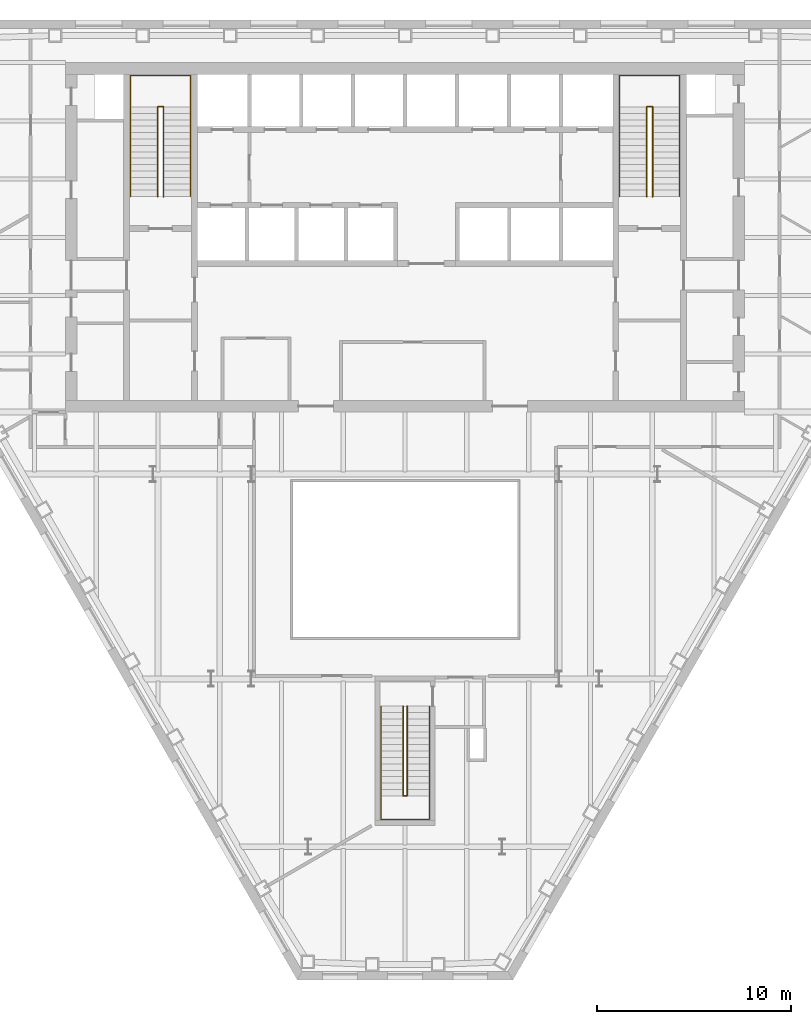
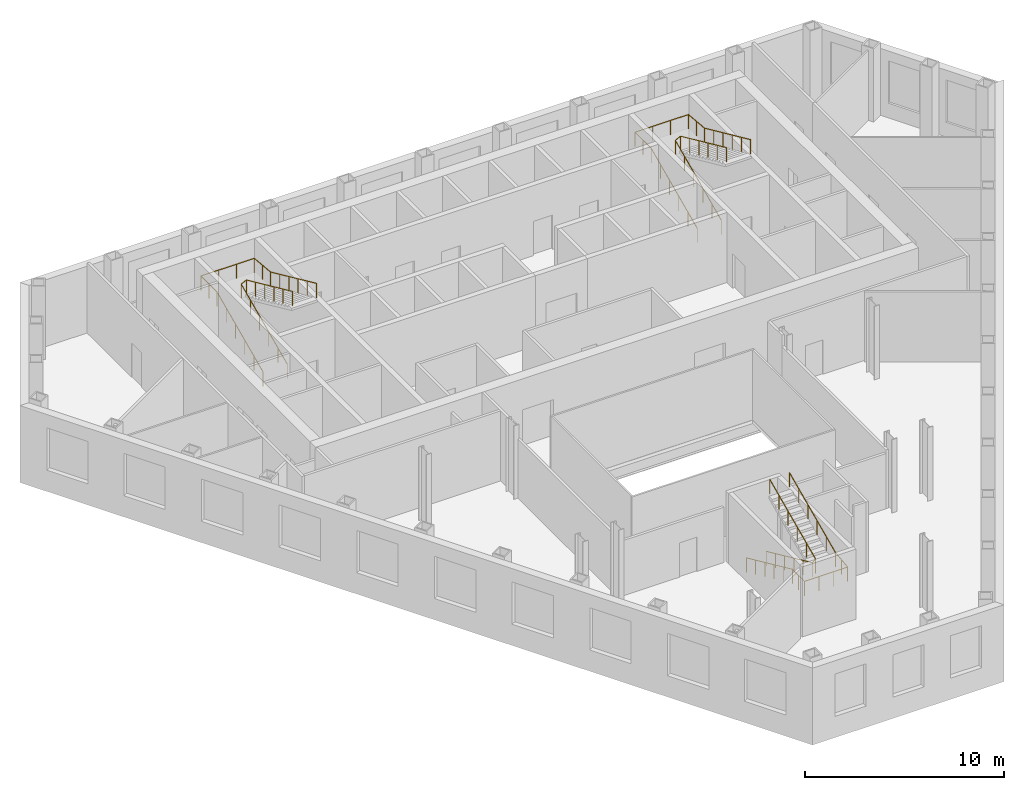
# One storey, part 11 of 11: 6 railings.
"""IFC4 building model written with IfcOpenShell, lengths in metres."""

import ifcopenshell
import ifcopenshell.guid

model = None  # the IFC model being written
_history = None  # IfcOwnerHistory: only IFC2X3 demands one
_inside = {}  # id of a spatial element -> (the spatial element, [elements in it])
_under = {}  # id of a project, library or spatial element -> (it, [spatial elements below it])
_declared = {}  # id of a project -> (the project, [libraries it declares])
_typed = {}  # id of a type object -> (the type object, [elements of that type])
_made_of = {}  # id of a material, layer set ... -> (it, [elements and type objects made of it])


def new_model(schema):
    """Start an empty IFC model of exactly this schema.

    Asked for "IFC4X3", IfcOpenShell would pick the latest addendum, in which some entities
    have other attributes; the version numbers below select the first issue.
    IFC2X3 requires an IfcOwnerHistory on every rooted entity: one is made here for all.
    """
    global model, _history
    if schema == "IFC4X3":
        model = ifcopenshell.file(schema_version=(4, 3, 0, 0))
    else:
        model = ifcopenshell.file(schema=schema)
    _inside.clear()
    _under.clear()
    _declared.clear()
    _typed.clear()
    _made_of.clear()
    _history = None
    if model.schema == "IFC2X3":
        org = make("IfcOrganization", Name="unknown")
        user = make(
            "IfcPersonAndOrganization",
            ThePerson=make("IfcPerson", FamilyName="unknown"),
            TheOrganization=org,
        )
        app = make(
            "IfcApplication",
            ApplicationDeveloper=org,
            Version="unknown",
            ApplicationFullName="unknown",
            ApplicationIdentifier="unknown",
        )
        _history = make(
            "IfcOwnerHistory",
            OwningUser=user,
            OwningApplication=app,
            ChangeAction="ADDED",
            CreationDate=0,
        )
    return model


def make(cls, **values):
    """One entity of the class cls with the attributes given. An attribute that is None is left unset."""
    return model.create_entity(
        cls, **{name: value for name, value in values.items() if value is not None}
    )


def rooted(cls, **values):
    """An entity with a GlobalId (a new one), such as an element, a storey or a relation."""
    return make(cls, GlobalId=ifcopenshell.guid.new(), OwnerHistory=_history, **values)


def si_unit(unit_type, name, prefix=None):
    """IfcSIUnit, for example si_unit("LENGTHUNIT", "METRE", prefix="MILLI")."""
    return make("IfcSIUnit", UnitType=unit_type, Prefix=prefix, Name=name)


def assignment(units):
    """IfcUnitAssignment: the units of a project."""
    return None if units is None else make("IfcUnitAssignment", Units=units)


def point(xyz):
    """IfcCartesianPoint."""
    return None if xyz is None else make("IfcCartesianPoint", Coordinates=xyz)


def direction(xyz):
    """IfcDirection."""
    return None if xyz is None else make("IfcDirection", DirectionRatios=xyz)


def frame(location, z_axis=None, x_axis=None):
    """IfcAxis2Placement3D, a coordinate frame: its origin and axes. An axis left out is left unset."""
    return make(
        "IfcAxis2Placement3D",
        Location=point(location),
        Axis=direction(z_axis),
        RefDirection=direction(x_axis),
    )


def frame_2d(location, x_axis=None):
    """IfcAxis2Placement2D, a coordinate frame in the plane: its origin and x axis."""
    return make(
        "IfcAxis2Placement2D", Location=point(location), RefDirection=direction(x_axis)
    )


def origin():
    """The frame at (0, 0, 0) with its axes left unset."""
    return frame((0.0, 0.0, 0.0))


def origin_2d():
    """The frame at (0, 0) in the plane with its x axis left unset."""
    return frame_2d((0.0, 0.0))


def place(relative_to, where):
    """IfcLocalPlacement: puts the frame where relative to a parent placement (None: the world)."""
    return make(
        "IfcLocalPlacement", PlacementRelTo=relative_to, RelativePlacement=where
    )


def context(
    kind, dimensions, precision=None, world=None, true_north=None, identifier=None
):
    """IfcGeometricRepresentationContext, for example the 3D "Model" context."""
    return make(
        "IfcGeometricRepresentationContext",
        ContextIdentifier=identifier,
        ContextType=kind,
        CoordinateSpaceDimension=dimensions,
        Precision=precision,
        WorldCoordinateSystem=world,
        TrueNorth=true_north,
    )


def subcontext(parent, identifier, kind, view, scale=None):
    """IfcGeometricRepresentationSubContext, for example "Body" below "Model"."""
    return make(
        "IfcGeometricRepresentationSubContext",
        ContextIdentifier=identifier,
        ContextType=kind,
        ParentContext=parent,
        TargetScale=scale,
        TargetView=view,
    )


def project(units=None, contexts=None):
    """IfcProject with its units and contexts."""
    return rooted(
        "IfcProject",
        Name="project",
        RepresentationContexts=contexts,
        UnitsInContext=assignment(units),
    )


def spatial(cls, under=None, at=None, **own):
    """A site, building, storey or space (cls), placed at a placement, below another one or the project."""
    s = rooted(cls, ObjectPlacement=at, **own)
    if under is not None:
        _under.setdefault(under.id(), (under, []))[1].append(s)
    return s


def profile(cls, at=None, kind="AREA", **sizes):
    """A parametric profile (cls). Its sizes go by their IFC names, for example OverallWidth=200.0."""
    return make(cls, ProfileType=kind, Position=at, **sizes)


def circle(**sizes):
    """IfcCircleProfileDef."""
    return profile("IfcCircleProfileDef", **sizes)


def extrude(swept, where, along, depth):
    """IfcExtrudedAreaSolid: the profile swept, set in the frame where, extruded along a direction by depth."""
    return make(
        "IfcExtrudedAreaSolid",
        SweptArea=swept,
        Position=where,
        ExtrudedDirection=direction(along),
        Depth=depth,
    )


def shape(context_of_items, identifier, shape_type, items):
    """IfcShapeRepresentation: the items that make up one representation, for example the "Body"."""
    return make(
        "IfcShapeRepresentation",
        ContextOfItems=context_of_items,
        RepresentationIdentifier=identifier,
        RepresentationType=shape_type,
        Items=items,
    )


def material(Name=None, Category=None):
    """IfcMaterial."""
    return make("IfcMaterial", Name=Name, Category=Category)


def made_of(thing, what):
    """Note that an element or type object is made of a material, layer set ...; save() writes the relation."""
    if what is not None:
        _made_of.setdefault(what.id(), (what, []))[1].append(thing)
    return thing


def type_object(cls, material=None, **own):
    """A type object (cls), such as IfcWallType, which elements share."""
    return made_of(rooted(cls, **own), material)


def element(
    cls,
    number,
    at=None,
    inside=None,
    cuts=None,
    type_object=None,
    material=None,
    context=None,
    identifier="Body",
    shape_type=None,
    held_by="IfcProductDefinitionShape",
    body=None,
    shapes=None,
    **own,
):
    """One element of the class cls, such as IfcWall. Its Tag is "e" and its number.

    at: its placement. inside: the storey or other place that contains it. cuts: it is an
    opening in that element (IfcRelVoidsElement). A single representation is given by context,
    identifier, shape_type and body (its items); several are given by shapes. held_by: the class
    of the entity that holds the representations. save() writes the other relations.
    """
    e = rooted(cls, Tag="e%d" % number, ObjectPlacement=at, **own)
    if body is not None:
        shapes = [shape(context, identifier, shape_type, body)]
    if shapes is not None:
        e.Representation = make(held_by, Representations=shapes)
    if inside is not None:
        _inside.setdefault(inside.id(), (inside, []))[1].append(e)
    if cuts is not None:
        rooted(
            "IfcRelVoidsElement", RelatingBuildingElement=cuts, RelatedOpeningElement=e
        )
    if type_object is not None:
        _typed.setdefault(type_object.id(), (type_object, []))[1].append(e)
    return made_of(e, material)


def aggregate(whole, parts):
    """IfcRelAggregates: a whole, such as a stair, and the parts it consists of."""
    return rooted("IfcRelAggregates", RelatingObject=whole, RelatedObjects=parts)


def save(model, path):
    """Write the relations noted so far, then the file.

    IfcRelAggregates (storeys below a building ...), IfcRelContainedInSpatialStructure (elements
    in a storey), IfcRelDefinesByType, IfcRelAssociatesMaterial and IfcRelDeclares: one each for
    every whole, place, type object, material and project.
    """
    for whole, parts in _under.values():
        aggregate(whole, parts)
    for where, things in _inside.values():
        rooted(
            "IfcRelContainedInSpatialStructure",
            RelatedElements=things,
            RelatingStructure=where,
        )
    for kind, things in _typed.values():
        rooted("IfcRelDefinesByType", RelatedObjects=things, RelatingType=kind)
    for what, things in _made_of.values():
        rooted("IfcRelAssociatesMaterial", RelatedObjects=things, RelatingMaterial=what)
    for by, libraries in _declared.values():
        rooted("IfcRelDeclares", RelatingContext=by, RelatedDefinitions=libraries)
    model.write(path)


model = new_model("IFC4")

# Units and contexts
model_context = context("Model", 3, precision=1e-05, world=origin(), true_north=direction((0.0, 1.0)))
body_context = subcontext(model_context, "Body", "Model", "MODEL_VIEW")
ifc_project = project(units=[si_unit("LENGTHUNIT", "METRE"), si_unit("AREAUNIT", "SQUARE_METRE"), si_unit("VOLUMEUNIT", "CUBIC_METRE"), si_unit("PLANEANGLEUNIT", "RADIAN"), si_unit("MASSUNIT", "GRAM", prefix="KILO")], contexts=[model_context])

# Site, building, storey
site_placement = place(None, origin())
site = spatial("IfcSite", under=ifc_project, at=site_placement, CompositionType="ELEMENT")
building_placement = place(site_placement, origin())
building = spatial("IfcBuilding", under=site, at=building_placement, Name="Njiva Tower", CompositionType="ELEMENT")
storey_placement = place(building_placement, frame((0.0, 0.0, 64.8)))
storey = spatial("IfcBuildingStorey", under=building, at=storey_placement, Name="L13", CompositionType="ELEMENT", Elevation=64.8)

# Railings
ifc_material = material(Name="Stainless steel", Category="steel")
railing_type = type_object("IfcRailingType", Name="RL1 Stair handrail 900", PredefinedType="HANDRAIL", material=ifc_material)
railing_1_placement = place(storey_placement, frame((-14.15, 11.1, 0.15)))
element("IfcRailing", 1, at=railing_1_placement, inside=storey, type_object=railing_type, Name="Stair A handrail", PredefinedType="HANDRAIL", context=body_context, shape_type="SweptSolid", body=[
    extrude(circle(Radius=0.024, at=origin_2d()), frame((0.0, 0.0, 0.876), z_axis=(0.0, 0.910366477463, 0.413802944301), x_axis=(-1.0, 0.0, 0.0)), (0.0, 0.0, 1.0), 5.0749),
    extrude(circle(Radius=0.024, at=origin_2d()), frame((0.0, 4.62, 2.976), z_axis=(0.0, 1.0, 0.0), x_axis=(-1.0, 0.0, 0.0)), (0.0, 0.0, 1.0), 1.63),
    extrude(circle(Radius=0.024, at=origin_2d()), frame((0.0, 6.25, 2.976), z_axis=(1.0, 0.0, 0.0), x_axis=(0.0, 1.0, 0.0)), (0.0, 0.0, 1.0), 3.1),
    extrude(circle(Radius=0.024, at=origin_2d()), frame((3.1, 6.25, 2.976), z_axis=(0.0, -0.995792447047, 0.091637341753), x_axis=(1.0, 0.0, 0.0)), (0.0, 0.0, 1.0), 1.6369),
    extrude(circle(Radius=0.024, at=origin_2d()), frame((3.1, 4.62, 3.126), z_axis=(0.0, -0.910366477463, 0.413802944301), x_axis=(1.0, 0.0, 0.0)), (0.0, 0.0, 1.0), 5.0749),
    extrude(circle(Radius=0.021, at=origin_2d()), origin(), (0.0, 0.0, 1.0), 0.852),
    extrude(circle(Radius=0.021, at=origin_2d()), frame((0.0, 0.924, 0.42)), (0.0, 0.0, 1.0), 0.852),
    extrude(circle(Radius=0.021, at=origin_2d()), frame((0.0, 1.848, 0.84)), (0.0, 0.0, 1.0), 0.852),
    extrude(circle(Radius=0.021, at=origin_2d()), frame((0.0, 2.772, 1.26)), (0.0, 0.0, 1.0), 0.852),
    extrude(circle(Radius=0.021, at=origin_2d()), frame((0.0, 3.696, 1.68)), (0.0, 0.0, 1.0), 0.852),
    extrude(circle(Radius=0.021, at=origin_2d()), frame((0.0, 4.62, 2.1)), (0.0, 0.0, 1.0), 0.852),
    extrude(circle(Radius=0.021, at=origin_2d()), frame((0.0, 5.435, 2.1)), (0.0, 0.0, 1.0), 0.852),
    extrude(circle(Radius=0.021, at=origin_2d()), frame((0.0, 6.25, 2.1)), (0.0, 0.0, 1.0), 0.852),
    extrude(circle(Radius=0.021, at=origin_2d()), frame((1.0333, 6.25, 2.1)), (0.0, 0.0, 1.0), 0.852),
    extrude(circle(Radius=0.021, at=origin_2d()), frame((2.0667, 6.25, 2.1)), (0.0, 0.0, 1.0), 0.852),
    extrude(circle(Radius=0.021, at=origin_2d()), frame((3.1, 6.25, 2.1)), (0.0, 0.0, 1.0), 0.852),
    extrude(circle(Radius=0.021, at=origin_2d()), frame((3.1, 5.435, 2.175)), (0.0, 0.0, 1.0), 0.852),
    extrude(circle(Radius=0.021, at=origin_2d()), frame((3.1, 4.62, 2.25)), (0.0, 0.0, 1.0), 0.852),
    extrude(circle(Radius=0.021, at=origin_2d()), frame((3.1, 3.696, 2.67)), (0.0, 0.0, 1.0), 0.852),
    extrude(circle(Radius=0.021, at=origin_2d()), frame((3.1, 2.772, 3.09)), (0.0, 0.0, 1.0), 0.852),
    extrude(circle(Radius=0.021, at=origin_2d()), frame((3.1, 1.848, 3.51)), (0.0, 0.0, 1.0), 0.852),
    extrude(circle(Radius=0.021, at=origin_2d()), frame((3.1, 0.924, 3.93)), (0.0, 0.0, 1.0), 0.852),
    extrude(circle(Radius=0.021, at=origin_2d()), frame((3.1, 0.0, 4.35)), (0.0, 0.0, 1.0), 0.852),
])
railing_2_placement = place(storey_placement, frame((-12.75, 11.1, 0.15)))
element("IfcRailing", 2, at=railing_2_placement, inside=storey, type_object=railing_type, Name="Stair A handrail", PredefinedType="HANDRAIL", context=body_context, shape_type="SweptSolid", body=[
    extrude(circle(Radius=0.024, at=origin_2d()), frame((0.0, 0.0, 0.876), z_axis=(0.0, 0.910366477463, 0.413802944301), x_axis=(-1.0, 0.0, 0.0)), (0.0, 0.0, 1.0), 5.0749),
    extrude(circle(Radius=0.024, at=origin_2d()), frame((0.0, 4.62, 2.976), z_axis=(0.894427191, 0.0, 0.4472135955), x_axis=(0.0, 1.0, 0.0)), (0.0, 0.0, 1.0), 0.3354),
    extrude(circle(Radius=0.024, at=origin_2d()), frame((0.3, 4.62, 3.126), z_axis=(0.0, -0.910366477463, 0.413802944301), x_axis=(1.0, 0.0, 0.0)), (0.0, 0.0, 1.0), 5.0749),
    extrude(circle(Radius=0.021, at=origin_2d()), origin(), (0.0, 0.0, 1.0), 0.852),
    extrude(circle(Radius=0.021, at=origin_2d()), frame((0.0, 0.924, 0.42)), (0.0, 0.0, 1.0), 0.852),
    extrude(circle(Radius=0.021, at=origin_2d()), frame((0.0, 1.848, 0.84)), (0.0, 0.0, 1.0), 0.852),
    extrude(circle(Radius=0.021, at=origin_2d()), frame((0.0, 2.772, 1.26)), (0.0, 0.0, 1.0), 0.852),
    extrude(circle(Radius=0.021, at=origin_2d()), frame((0.0, 3.696, 1.68)), (0.0, 0.0, 1.0), 0.852),
    extrude(circle(Radius=0.021, at=origin_2d()), frame((0.0, 4.62, 2.1)), (0.0, 0.0, 1.0), 0.852),
    extrude(circle(Radius=0.021, at=origin_2d()), frame((0.3, 4.62, 2.25)), (0.0, 0.0, 1.0), 0.852),
    extrude(circle(Radius=0.021, at=origin_2d()), frame((0.3, 3.696, 2.67)), (0.0, 0.0, 1.0), 0.852),
    extrude(circle(Radius=0.021, at=origin_2d()), frame((0.3, 2.772, 3.09)), (0.0, 0.0, 1.0), 0.852),
    extrude(circle(Radius=0.021, at=origin_2d()), frame((0.3, 1.848, 3.51)), (0.0, 0.0, 1.0), 0.852),
    extrude(circle(Radius=0.021, at=origin_2d()), frame((0.3, 0.924, 3.93)), (0.0, 0.0, 1.0), 0.852),
    extrude(circle(Radius=0.021, at=origin_2d()), frame((0.3, 0.0, 4.35)), (0.0, 0.0, 1.0), 0.852),
])
railing_3_placement = place(storey_placement, frame((11.05, 11.1, 0.15)))
element("IfcRailing", 3, at=railing_3_placement, inside=storey, type_object=railing_type, Name="Stair B handrail", PredefinedType="HANDRAIL", context=body_context, shape_type="SweptSolid", body=[
    extrude(circle(Radius=0.024, at=origin_2d()), frame((0.0, 0.0, 0.876), z_axis=(0.0, 0.910366477463, 0.413802944301), x_axis=(-1.0, 0.0, 0.0)), (0.0, 0.0, 1.0), 5.0749),
    extrude(circle(Radius=0.024, at=origin_2d()), frame((0.0, 4.62, 2.976), z_axis=(0.0, 1.0, 0.0), x_axis=(-1.0, 0.0, 0.0)), (0.0, 0.0, 1.0), 1.63),
    extrude(circle(Radius=0.024, at=origin_2d()), frame((0.0, 6.25, 2.976), z_axis=(1.0, 0.0, 0.0), x_axis=(0.0, 1.0, 0.0)), (0.0, 0.0, 1.0), 3.1),
    extrude(circle(Radius=0.024, at=origin_2d()), frame((3.1, 6.25, 2.976), z_axis=(0.0, -0.995792447047, 0.091637341753), x_axis=(1.0, 0.0, 0.0)), (0.0, 0.0, 1.0), 1.6369),
    extrude(circle(Radius=0.024, at=origin_2d()), frame((3.1, 4.62, 3.126), z_axis=(0.0, -0.910366477463, 0.413802944301), x_axis=(1.0, 0.0, 0.0)), (0.0, 0.0, 1.0), 5.0749),
    extrude(circle(Radius=0.021, at=origin_2d()), origin(), (0.0, 0.0, 1.0), 0.852),
    extrude(circle(Radius=0.021, at=origin_2d()), frame((0.0, 0.924, 0.42)), (0.0, 0.0, 1.0), 0.852),
    extrude(circle(Radius=0.021, at=origin_2d()), frame((0.0, 1.848, 0.84)), (0.0, 0.0, 1.0), 0.852),
    extrude(circle(Radius=0.021, at=origin_2d()), frame((0.0, 2.772, 1.26)), (0.0, 0.0, 1.0), 0.852),
    extrude(circle(Radius=0.021, at=origin_2d()), frame((0.0, 3.696, 1.68)), (0.0, 0.0, 1.0), 0.852),
    extrude(circle(Radius=0.021, at=origin_2d()), frame((0.0, 4.62, 2.1)), (0.0, 0.0, 1.0), 0.852),
    extrude(circle(Radius=0.021, at=origin_2d()), frame((0.0, 5.435, 2.1)), (0.0, 0.0, 1.0), 0.852),
    extrude(circle(Radius=0.021, at=origin_2d()), frame((0.0, 6.25, 2.1)), (0.0, 0.0, 1.0), 0.852),
    extrude(circle(Radius=0.021, at=origin_2d()), frame((1.0333, 6.25, 2.1)), (0.0, 0.0, 1.0), 0.852),
    extrude(circle(Radius=0.021, at=origin_2d()), frame((2.0667, 6.25, 2.1)), (0.0, 0.0, 1.0), 0.852),
    extrude(circle(Radius=0.021, at=origin_2d()), frame((3.1, 6.25, 2.1)), (0.0, 0.0, 1.0), 0.852),
    extrude(circle(Radius=0.021, at=origin_2d()), frame((3.1, 5.435, 2.175)), (0.0, 0.0, 1.0), 0.852),
    extrude(circle(Radius=0.021, at=origin_2d()), frame((3.1, 4.62, 2.25)), (0.0, 0.0, 1.0), 0.852),
    extrude(circle(Radius=0.021, at=origin_2d()), frame((3.1, 3.696, 2.67)), (0.0, 0.0, 1.0), 0.852),
    extrude(circle(Radius=0.021, at=origin_2d()), frame((3.1, 2.772, 3.09)), (0.0, 0.0, 1.0), 0.852),
    extrude(circle(Radius=0.021, at=origin_2d()), frame((3.1, 1.848, 3.51)), (0.0, 0.0, 1.0), 0.852),
    extrude(circle(Radius=0.021, at=origin_2d()), frame((3.1, 0.924, 3.93)), (0.0, 0.0, 1.0), 0.852),
    extrude(circle(Radius=0.021, at=origin_2d()), frame((3.1, 0.0, 4.35)), (0.0, 0.0, 1.0), 0.852),
])
railing_4_placement = place(storey_placement, frame((12.45, 11.1, 0.15)))
element("IfcRailing", 4, at=railing_4_placement, inside=storey, type_object=railing_type, Name="Stair B handrail", PredefinedType="HANDRAIL", context=body_context, shape_type="SweptSolid", body=[
    extrude(circle(Radius=0.024, at=origin_2d()), frame((0.0, 0.0, 0.876), z_axis=(0.0, 0.910366477463, 0.413802944301), x_axis=(-1.0, 0.0, 0.0)), (0.0, 0.0, 1.0), 5.0749),
    extrude(circle(Radius=0.024, at=origin_2d()), frame((0.0, 4.62, 2.976), z_axis=(0.894427191, 0.0, 0.4472135955), x_axis=(0.0, 1.0, 0.0)), (0.0, 0.0, 1.0), 0.3354),
    extrude(circle(Radius=0.024, at=origin_2d()), frame((0.3, 4.62, 3.126), z_axis=(0.0, -0.910366477463, 0.413802944301), x_axis=(1.0, 0.0, 0.0)), (0.0, 0.0, 1.0), 5.0749),
    extrude(circle(Radius=0.021, at=origin_2d()), origin(), (0.0, 0.0, 1.0), 0.852),
    extrude(circle(Radius=0.021, at=origin_2d()), frame((0.0, 0.924, 0.42)), (0.0, 0.0, 1.0), 0.852),
    extrude(circle(Radius=0.021, at=origin_2d()), frame((0.0, 1.848, 0.84)), (0.0, 0.0, 1.0), 0.852),
    extrude(circle(Radius=0.021, at=origin_2d()), frame((0.0, 2.772, 1.26)), (0.0, 0.0, 1.0), 0.852),
    extrude(circle(Radius=0.021, at=origin_2d()), frame((0.0, 3.696, 1.68)), (0.0, 0.0, 1.0), 0.852),
    extrude(circle(Radius=0.021, at=origin_2d()), frame((0.0, 4.62, 2.1)), (0.0, 0.0, 1.0), 0.852),
    extrude(circle(Radius=0.021, at=origin_2d()), frame((0.3, 4.62, 2.25)), (0.0, 0.0, 1.0), 0.852),
    extrude(circle(Radius=0.021, at=origin_2d()), frame((0.3, 3.696, 2.67)), (0.0, 0.0, 1.0), 0.852),
    extrude(circle(Radius=0.021, at=origin_2d()), frame((0.3, 2.772, 3.09)), (0.0, 0.0, 1.0), 0.852),
    extrude(circle(Radius=0.021, at=origin_2d()), frame((0.3, 1.848, 3.51)), (0.0, 0.0, 1.0), 0.852),
    extrude(circle(Radius=0.021, at=origin_2d()), frame((0.3, 0.924, 3.93)), (0.0, 0.0, 1.0), 0.852),
    extrude(circle(Radius=0.021, at=origin_2d()), frame((0.3, 0.0, 4.35)), (0.0, 0.0, 1.0), 0.852),
])
railing_5_placement = place(storey_placement, frame((-1.25, -15.16, 0.15)))
element("IfcRailing", 5, at=railing_5_placement, inside=storey, type_object=railing_type, Name="Stair C handrail", PredefinedType="HANDRAIL", context=body_context, shape_type="SweptSolid", body=[
    extrude(circle(Radius=0.024, at=origin_2d()), frame((0.0, 0.0, 0.876), z_axis=(0.0, -0.910366477463, 0.413802944301), x_axis=(1.0, 0.0, 0.0)), (0.0, 0.0, 1.0), 5.0749),
    extrude(circle(Radius=0.024, at=origin_2d()), frame((0.0, -4.62, 2.976), z_axis=(0.0, -1.0, 0.0), x_axis=(1.0, 0.0, 0.0)), (0.0, 0.0, 1.0), 1.22),
    extrude(circle(Radius=0.024, at=origin_2d()), frame((0.0, -5.84, 2.976), z_axis=(1.0, 0.0, 0.0), x_axis=(0.0, 1.0, 0.0)), (0.0, 0.0, 1.0), 2.5),
    extrude(circle(Radius=0.024, at=origin_2d()), frame((2.5, -5.84, 2.976), z_axis=(0.0, 0.992526177815, 0.122031907108), x_axis=(-1.0, 0.0, 0.0)), (0.0, 0.0, 1.0), 1.2292),
    extrude(circle(Radius=0.024, at=origin_2d()), frame((2.5, -4.62, 3.126), z_axis=(0.0, 0.910366477463, 0.413802944301), x_axis=(-1.0, 0.0, 0.0)), (0.0, 0.0, 1.0), 5.0749),
    extrude(circle(Radius=0.021, at=origin_2d()), origin(), (0.0, 0.0, 1.0), 0.852),
    extrude(circle(Radius=0.021, at=origin_2d()), frame((0.0, -0.924, 0.42)), (0.0, 0.0, 1.0), 0.852),
    extrude(circle(Radius=0.021, at=origin_2d()), frame((0.0, -1.848, 0.84)), (0.0, 0.0, 1.0), 0.852),
    extrude(circle(Radius=0.021, at=origin_2d()), frame((0.0, -2.772, 1.26)), (0.0, 0.0, 1.0), 0.852),
    extrude(circle(Radius=0.021, at=origin_2d()), frame((0.0, -3.696, 1.68)), (0.0, 0.0, 1.0), 0.852),
    extrude(circle(Radius=0.021, at=origin_2d()), frame((0.0, -4.62, 2.1)), (0.0, 0.0, 1.0), 0.852),
    extrude(circle(Radius=0.021, at=origin_2d()), frame((0.0, -5.23, 2.1)), (0.0, 0.0, 1.0), 0.852),
    extrude(circle(Radius=0.021, at=origin_2d()), frame((0.0, -5.84, 2.1)), (0.0, 0.0, 1.0), 0.852),
    extrude(circle(Radius=0.021, at=origin_2d()), frame((0.8333, -5.84, 2.1)), (0.0, 0.0, 1.0), 0.852),
    extrude(circle(Radius=0.021, at=origin_2d()), frame((1.6667, -5.84, 2.1)), (0.0, 0.0, 1.0), 0.852),
    extrude(circle(Radius=0.021, at=origin_2d()), frame((2.5, -5.84, 2.1)), (0.0, 0.0, 1.0), 0.852),
    extrude(circle(Radius=0.021, at=origin_2d()), frame((2.5, -5.23, 2.175)), (0.0, 0.0, 1.0), 0.852),
    extrude(circle(Radius=0.021, at=origin_2d()), frame((2.5, -4.62, 2.25)), (0.0, 0.0, 1.0), 0.852),
    extrude(circle(Radius=0.021, at=origin_2d()), frame((2.5, -3.696, 2.67)), (0.0, 0.0, 1.0), 0.852),
    extrude(circle(Radius=0.021, at=origin_2d()), frame((2.5, -2.772, 3.09)), (0.0, 0.0, 1.0), 0.852),
    extrude(circle(Radius=0.021, at=origin_2d()), frame((2.5, -1.848, 3.51)), (0.0, 0.0, 1.0), 0.852),
    extrude(circle(Radius=0.021, at=origin_2d()), frame((2.5, -0.924, 3.93)), (0.0, 0.0, 1.0), 0.852),
    extrude(circle(Radius=0.021, at=origin_2d()), frame((2.5, 0.0, 4.35)), (0.0, 0.0, 1.0), 0.852),
])
railing_6_placement = place(storey_placement, frame((-0.1, -15.16, 0.15)))
element("IfcRailing", 6, at=railing_6_placement, inside=storey, type_object=railing_type, Name="Stair C handrail", PredefinedType="HANDRAIL", context=body_context, shape_type="SweptSolid", body=[
    extrude(circle(Radius=0.024, at=origin_2d()), frame((0.0, 0.0, 0.876), z_axis=(0.0, -0.910366477463, 0.413802944301), x_axis=(1.0, 0.0, 0.0)), (0.0, 0.0, 1.0), 5.0749),
    extrude(circle(Radius=0.024, at=origin_2d()), frame((0.0, -4.62, 2.976), z_axis=(0.8, 0.0, 0.6), x_axis=(0.0, 1.0, 0.0)), (0.0, 0.0, 1.0), 0.25),
    extrude(circle(Radius=0.024, at=origin_2d()), frame((0.2, -4.62, 3.126), z_axis=(0.0, 0.910366477463, 0.413802944301), x_axis=(-1.0, 0.0, 0.0)), (0.0, 0.0, 1.0), 5.0749),
    extrude(circle(Radius=0.021, at=origin_2d()), origin(), (0.0, 0.0, 1.0), 0.852),
    extrude(circle(Radius=0.021, at=origin_2d()), frame((0.0, -0.924, 0.42)), (0.0, 0.0, 1.0), 0.852),
    extrude(circle(Radius=0.021, at=origin_2d()), frame((0.0, -1.848, 0.84)), (0.0, 0.0, 1.0), 0.852),
    extrude(circle(Radius=0.021, at=origin_2d()), frame((0.0, -2.772, 1.26)), (0.0, 0.0, 1.0), 0.852),
    extrude(circle(Radius=0.021, at=origin_2d()), frame((0.0, -3.696, 1.68)), (0.0, 0.0, 1.0), 0.852),
    extrude(circle(Radius=0.021, at=origin_2d()), frame((0.0, -4.62, 2.1)), (0.0, 0.0, 1.0), 0.852),
    extrude(circle(Radius=0.021, at=origin_2d()), frame((0.2, -4.62, 2.25)), (0.0, 0.0, 1.0), 0.852),
    extrude(circle(Radius=0.021, at=origin_2d()), frame((0.2, -3.696, 2.67)), (0.0, 0.0, 1.0), 0.852),
    extrude(circle(Radius=0.021, at=origin_2d()), frame((0.2, -2.772, 3.09)), (0.0, 0.0, 1.0), 0.852),
    extrude(circle(Radius=0.021, at=origin_2d()), frame((0.2, -1.848, 3.51)), (0.0, 0.0, 1.0), 0.852),
    extrude(circle(Radius=0.021, at=origin_2d()), frame((0.2, -0.924, 3.93)), (0.0, 0.0, 1.0), 0.852),
    extrude(circle(Radius=0.021, at=origin_2d()), frame((0.2, 0.0, 4.35)), (0.0, 0.0, 1.0), 0.852),
])

save(model, "model.ifc")
